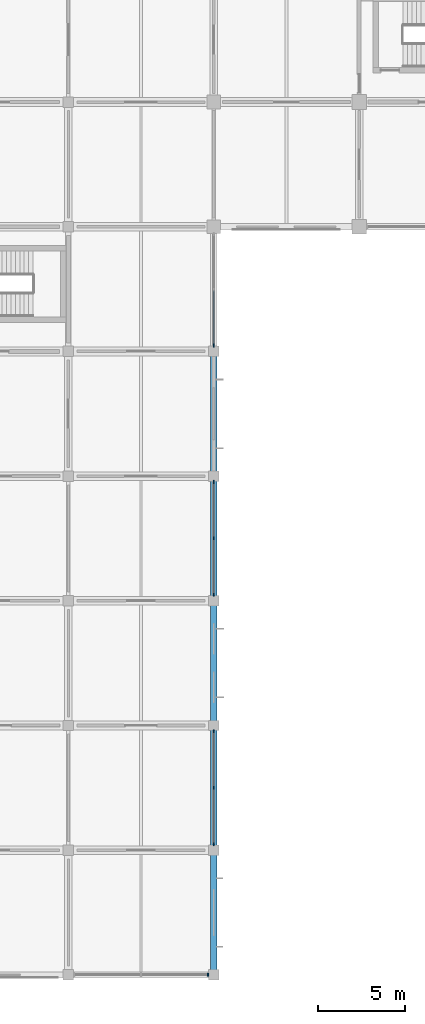
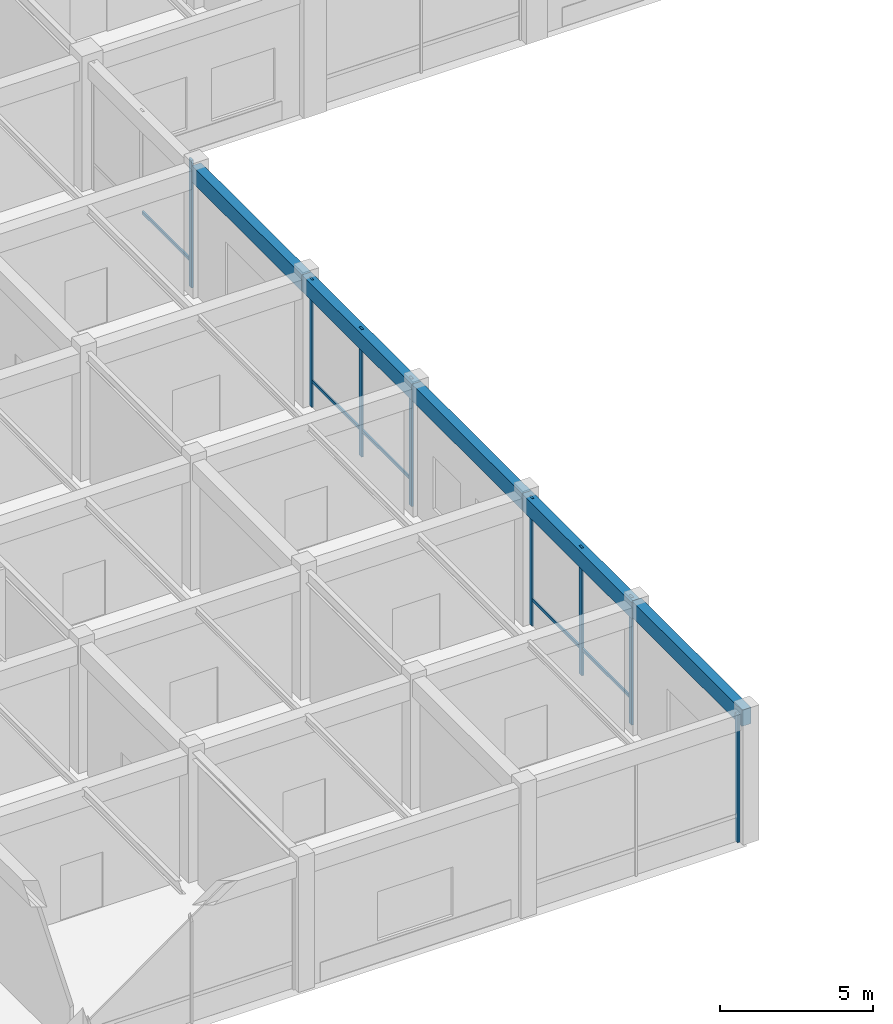
# One storey, part 7 of 38: 13 members, 5 beams, 4 elements without a shape of their own.
"""IFC4 building model written with IfcOpenShell, lengths in metres."""

from ifc_helpers import new_model, si_unit, derived_unit, direction, frame, origin, origin_2d, place, context, subcontext, project, spatial, rectangle, extrude, material, material_profile, profile_set, type_object, element, aggregate, save


model = new_model("IFC4")

# Units and contexts
model_context = context("Model", 3, precision=1e-05, world=origin(), true_north=direction((0.0, 1.0)))
body_context = subcontext(model_context, "Body", "Model", "MODEL_VIEW")
ifc_project = project(units=[si_unit("LENGTHUNIT", "METRE"), si_unit("AREAUNIT", "SQUARE_METRE"), si_unit("VOLUMEUNIT", "CUBIC_METRE"), si_unit("PLANEANGLEUNIT", "RADIAN"), si_unit("MASSUNIT", "GRAM", prefix="KILO"), derived_unit("THERMALTRANSMITTANCEUNIT", [(si_unit("MASSUNIT", "GRAM", prefix="KILO"), 1), (si_unit("TIMEUNIT", "SECOND"), -3), (si_unit("THERMODYNAMICTEMPERATUREUNIT", "KELVIN"), -1)])], contexts=[model_context])

# Site, building, storey
site_placement = place(None, origin())
site = spatial("IfcSite", under=ifc_project, at=site_placement, CompositionType="ELEMENT")
building_placement = place(site_placement, origin())
building = spatial("IfcBuilding", under=site, at=building_placement, Name="Veldstrom Oceanarium and Marine Research Institute", CompositionType="ELEMENT")
storey_placement = place(building_placement, frame((0.0, 0.0, 11.39990234375)))
storey = spatial("IfcBuildingStorey", under=building, at=storey_placement, Name="L02", CompositionType="ELEMENT", Elevation=11.39990234375)

# Curtain wall, member
ifc_material_1 = material(Name="Anodised Aluminium Framing", Category="aluminium")
curtain_wall_type_1 = type_object("IfcCurtainWallType", Name="ARC-CW-CW02", PredefinedType="USERDEFINED", material=ifc_material_1)
curtain_wall_1_placement = place(storey_placement, origin())
curtain_wall_1 = element("IfcCurtainWall", 1, at=curtain_wall_1_placement, inside=storey, type_object=curtain_wall_type_1, Name="Curtain Wall CW02 CW-L02-026", ObjectType="Curtain wall", PredefinedType="USERDEFINED")
ifc_material_2 = material(Name="Anodised Aluminium Framing", Category="aluminium")
ifc_material_profile_1 = material_profile(ifc_material_2, rectangle(XDim=0.074951171875, YDim=0.179931640625, at=origin_2d()), Name="ALU-MUL-75x180")
ifc_profile_set_1 = profile_set([ifc_material_profile_1], Name="Anodised Aluminium Framing")
member_type_1 = type_object("IfcMemberType", Name="ARC-MUL-ML1", PredefinedType="MULLION", material=ifc_profile_set_1)
member_1_placement = place(storey_placement, frame((66.860107421875, 0.0, 0.0), z_axis=(0.0, 0.0, 1.0), x_axis=(1.0, 0.0, 0.0)))
member_1 = element("IfcMember", 2, at=member_1_placement, type_object=member_type_1, Name="Curtain Wall Mullion CW-L02-026-MUL-3", PredefinedType="MULLION", context=body_context, shape_type="SweptSolid", body=[
    extrude(rectangle(XDim=0.074951171875, YDim=0.179931640625, at=origin_2d()), origin(), (0.0, 0.0, 1.0), 5.10009765625),
])
aggregate(curtain_wall_1, [member_1])

# Curtain wall, members
ifc_material_3 = material(Name="Anodised Aluminium Framing", Category="aluminium")
curtain_wall_type_2 = type_object("IfcCurtainWallType", Name="ARC-CW-CW06", PredefinedType="USERDEFINED", material=ifc_material_3)
curtain_wall_2_placement = place(storey_placement, origin())
curtain_wall_2 = element("IfcCurtainWall", 3, at=curtain_wall_2_placement, inside=storey, type_object=curtain_wall_type_2, Name="Curtain Wall CW06 CW-L02-027", ObjectType="Curtain wall", PredefinedType="USERDEFINED")
member_2_placement = place(storey_placement, frame((67.199951171875, 7.5400390625, 0.0), z_axis=(0.0, 0.0, 1.0), x_axis=(1.0, 0.0, 0.0)))
member_2 = element("IfcMember", 4, at=member_2_placement, type_object=member_type_1, Name="Curtain Wall Mullion CW-L02-027-MUL-1", PredefinedType="MULLION", context=body_context, shape_type="SweptSolid", body=[
    extrude(rectangle(XDim=0.074951171875, YDim=0.179931640625, at=origin_2d()), origin(), (0.0, 0.0, 1.0), 5.10009765625),
])
member_3_placement = place(storey_placement, frame((67.199951171875, 10.800048828125, 0.0), z_axis=(0.0, 0.0, 1.0), x_axis=(1.0, 0.0, 0.0)))
member_3 = element("IfcMember", 5, at=member_3_placement, type_object=member_type_1, Name="Curtain Wall Mullion CW-L02-027-MUL-2", PredefinedType="MULLION", context=body_context, shape_type="SweptSolid", body=[
    extrude(rectangle(XDim=0.074951171875, YDim=0.179931640625, at=origin_2d()), origin(), (0.0, 0.0, 1.0), 5.10009765625),
])
member_4_placement = place(storey_placement, frame((67.199951171875, 14.06005859375, 0.0), z_axis=(0.0, 0.0, 1.0), x_axis=(1.0, 0.0, 0.0)))
member_4 = element("IfcMember", 6, at=member_4_placement, type_object=member_type_1, Name="Curtain Wall Mullion CW-L02-027-MUL-3", PredefinedType="MULLION", context=body_context, shape_type="SweptSolid", body=[
    extrude(rectangle(XDim=0.074951171875, YDim=0.179931640625, at=origin_2d()), origin(), (0.0, 0.0, 1.0), 5.10009765625),
])

curtain_wall_3_placement = place(storey_placement, origin())
curtain_wall_3 = element("IfcCurtainWall", 7, at=curtain_wall_3_placement, inside=storey, type_object=curtain_wall_type_2, Name="Curtain Wall CW06 CW-L02-028", ObjectType="Curtain wall", PredefinedType="USERDEFINED")
member_5_placement = place(storey_placement, frame((67.199951171875, 21.93994140625, 0.0), z_axis=(0.0, 0.0, 1.0), x_axis=(1.0, 0.0, 0.0)))
member_5 = element("IfcMember", 8, at=member_5_placement, type_object=member_type_1, Name="Curtain Wall Mullion CW-L02-028-MUL-1", PredefinedType="MULLION", context=body_context, shape_type="SweptSolid", body=[
    extrude(rectangle(XDim=0.074951171875, YDim=0.179931640625, at=origin_2d()), origin(), (0.0, 0.0, 1.0), 5.10009765625),
])
member_6_placement = place(storey_placement, frame((67.199951171875, 25.199951171875, 0.0), z_axis=(0.0, 0.0, 1.0), x_axis=(1.0, 0.0, 0.0)))
member_6 = element("IfcMember", 9, at=member_6_placement, type_object=member_type_1, Name="Curtain Wall Mullion CW-L02-028-MUL-2", PredefinedType="MULLION", context=body_context, shape_type="SweptSolid", body=[
    extrude(rectangle(XDim=0.074951171875, YDim=0.179931640625, at=origin_2d()), origin(), (0.0, 0.0, 1.0), 5.10009765625),
])
member_7_placement = place(storey_placement, frame((67.199951171875, 28.4599609375, 0.0), z_axis=(0.0, 0.0, 1.0), x_axis=(1.0, 0.0, 0.0)))
member_7 = element("IfcMember", 10, at=member_7_placement, type_object=member_type_1, Name="Curtain Wall Mullion CW-L02-028-MUL-3", PredefinedType="MULLION", context=body_context, shape_type="SweptSolid", body=[
    extrude(rectangle(XDim=0.074951171875, YDim=0.179931640625, at=origin_2d()), origin(), (0.0, 0.0, 1.0), 5.10009765625),
])

# Curtain wall, member
curtain_wall_4_placement = place(storey_placement, origin())
curtain_wall_4 = element("IfcCurtainWall", 11, at=curtain_wall_4_placement, inside=storey, type_object=curtain_wall_type_2, Name="Curtain Wall CW06 CW-L02-029", ObjectType="Curtain wall", PredefinedType="USERDEFINED")
member_8_placement = place(storey_placement, frame((67.199951171875, 36.340087890625, 0.0), z_axis=(0.0, 0.0, 1.0), x_axis=(1.0, 0.0, 0.0)))
member_8 = element("IfcMember", 12, at=member_8_placement, type_object=member_type_1, Name="Curtain Wall Mullion CW-L02-029-MUL-1", PredefinedType="MULLION", context=body_context, shape_type="SweptSolid", body=[
    extrude(rectangle(XDim=0.074951171875, YDim=0.179931640625, at=origin_2d()), origin(), (0.0, 0.0, 1.0), 5.10009765625),
])

# Member
ifc_material_4 = material(Name="Anodised Aluminium Framing", Category="aluminium")
ifc_material_profile_2 = material_profile(ifc_material_4, rectangle(XDim=0.06494140625, YDim=0.1201171875, at=origin_2d()), Name="ALU-TRN-65x120")
ifc_profile_set_2 = profile_set([ifc_material_profile_2], Name="Anodised Aluminium Framing")
member_type_2 = type_object("IfcMemberType", Name="ARC-TRN-TR2", PredefinedType="USERDEFINED", material=ifc_profile_set_2)
member_9_placement = place(storey_placement, frame((67.199951171875, 7.580078125, 1.050048828125), z_axis=(0.0, 1.0, 0.0), x_axis=(-1.0, 0.0, 0.0)))
member_9 = element("IfcMember", 13, at=member_9_placement, type_object=member_type_2, Name="Curtain Wall Transom CW-L02-027-TRN-1", ObjectType="Transom", PredefinedType="USERDEFINED", context=body_context, shape_type="SweptSolid", body=[
    extrude(rectangle(XDim=0.06494140625, YDim=0.1201171875, at=origin_2d()), origin(), (0.0, 0.0, 1.0), 3.179931640625),
])

member_10_placement = place(storey_placement, frame((67.199951171875, 10.840087890625, 1.050048828125), z_axis=(0.0, 1.0, 0.0), x_axis=(-1.0, 0.0, 0.0)))
member_10 = element("IfcMember", 14, at=member_10_placement, type_object=member_type_2, Name="Curtain Wall Transom CW-L02-027-TRN-2", ObjectType="Transom", PredefinedType="USERDEFINED", context=body_context, shape_type="SweptSolid", body=[
    extrude(rectangle(XDim=0.06494140625, YDim=0.1201171875, at=origin_2d()), origin(), (0.0, 0.0, 1.0), 3.179931640625),
])

aggregate(curtain_wall_2, [member_2, member_3, member_4, member_9, member_10])

member_11_placement = place(storey_placement, frame((67.199951171875, 21.97998046875, 1.050048828125), z_axis=(0.0, 1.0, 0.0), x_axis=(-1.0, 0.0, 0.0)))
member_11 = element("IfcMember", 15, at=member_11_placement, type_object=member_type_2, Name="Curtain Wall Transom CW-L02-028-TRN-1", ObjectType="Transom", PredefinedType="USERDEFINED", context=body_context, shape_type="SweptSolid", body=[
    extrude(rectangle(XDim=0.06494140625, YDim=0.1201171875, at=origin_2d()), origin(), (0.0, 0.0, 1.0), 3.179931640625),
])

member_12_placement = place(storey_placement, frame((67.199951171875, 25.239990234375, 1.050048828125), z_axis=(0.0, 1.0, 0.0), x_axis=(-1.0, 0.0, 0.0)))
member_12 = element("IfcMember", 16, at=member_12_placement, type_object=member_type_2, Name="Curtain Wall Transom CW-L02-028-TRN-2", ObjectType="Transom", PredefinedType="USERDEFINED", context=body_context, shape_type="SweptSolid", body=[
    extrude(rectangle(XDim=0.06494140625, YDim=0.1201171875, at=origin_2d()), origin(), (0.0, 0.0, 1.0), 3.179931640625),
])

aggregate(curtain_wall_3, [member_5, member_6, member_7, member_11, member_12])

member_13_placement = place(storey_placement, frame((67.199951171875, 36.3798828125, 1.050048828125), z_axis=(0.0, 1.0, 0.0), x_axis=(-1.0, 0.0, 0.0)))
member_13 = element("IfcMember", 17, at=member_13_placement, type_object=member_type_2, Name="Curtain Wall Transom CW-L02-029-TRN-1", ObjectType="Transom", PredefinedType="USERDEFINED", context=body_context, shape_type="SweptSolid", body=[
    extrude(rectangle(XDim=0.06494140625, YDim=0.1201171875, at=origin_2d()), origin(), (0.0, 0.0, 1.0), 3.130126953125),
])

aggregate(curtain_wall_4, [member_8, member_13])

# Beams
ifc_material_5 = material(Name="Concrete C40/50", Category="concrete")
ifc_material_profile_3 = material_profile(ifc_material_5, rectangle(XDim=0.35009765625, YDim=0.64990234375, at=origin_2d()), Name="RC-SPN-350x650")
ifc_profile_set_3 = profile_set([ifc_material_profile_3], Name="Concrete C40/50")
beam_type = type_object("IfcBeamType", Name="STR-SPN-SP1", PredefinedType="SPANDREL", material=ifc_profile_set_3)
for number, where, z_axis, x_axis, name in (
    (18, (67.199951171875, 0.0, 4.84521484375), (0.0, 1.0, 0.0), (-1.0, 0.0, 0.0), "Perimeter Spandrel SPB1 L02-1675"),
    (19, (67.199951171875, 7.199951171875, 4.77001953125), (0.0, 1.0, 0.0), (-1.0, 0.0, 0.0), "Perimeter Spandrel SPB1 L02-1676"),
):
    element("IfcBeam", number, at=place(storey_placement, frame(where, z_axis=z_axis, x_axis=x_axis)), inside=storey, type_object=beam_type, Name=name, PredefinedType="SPANDREL", context=body_context, shape_type="SweptSolid", body=[
        extrude(rectangle(XDim=0.35009765625, YDim=0.64990234375, at=origin_2d()), origin(), (0.0, 0.0, 1.0), 7.199951171875),
    ])
beam_placement = place(storey_placement, frame((67.199951171875, 14.39990234375, 4.77001953125), z_axis=(0.0, 1.0, 0.0), x_axis=(-1.0, 0.0, 0.0)))
element("IfcBeam", 20, at=beam_placement, inside=storey, type_object=beam_type, Name="Perimeter Spandrel SPB1 L02-1677", PredefinedType="SPANDREL", context=body_context, shape_type="SweptSolid", body=[
    extrude(rectangle(XDim=0.35009765625, YDim=0.64990234375, at=origin_2d()), origin(), (0.0, 0.0, 1.0), 7.2001953125),
])
for number, where, z_axis, x_axis, name in (
    (21, (67.199951171875, 21.60009765625, 4.77001953125), (0.0, 1.0, 0.0), (-1.0, 0.0, 0.0), "Perimeter Spandrel SPB1 L02-1678"),
    (22, (67.199951171875, 28.800048828125, 4.77001953125), (0.0, 1.0, 0.0), (-1.0, 0.0, 0.0), "Perimeter Spandrel SPB1 L02-1679"),
):
    element("IfcBeam", number, at=place(storey_placement, frame(where, z_axis=z_axis, x_axis=x_axis)), inside=storey, type_object=beam_type, Name=name, PredefinedType="SPANDREL", context=body_context, shape_type="SweptSolid", body=[
        extrude(rectangle(XDim=0.35009765625, YDim=0.64990234375, at=origin_2d()), origin(), (0.0, 0.0, 1.0), 7.199951171875),
    ])

save(model, "model.ifc")
